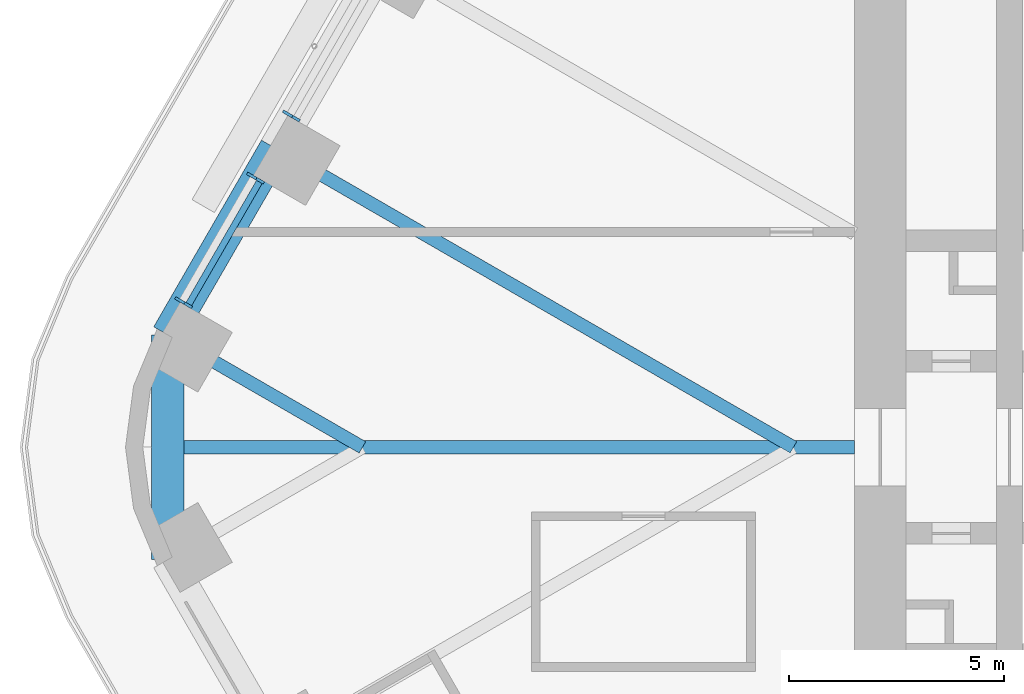
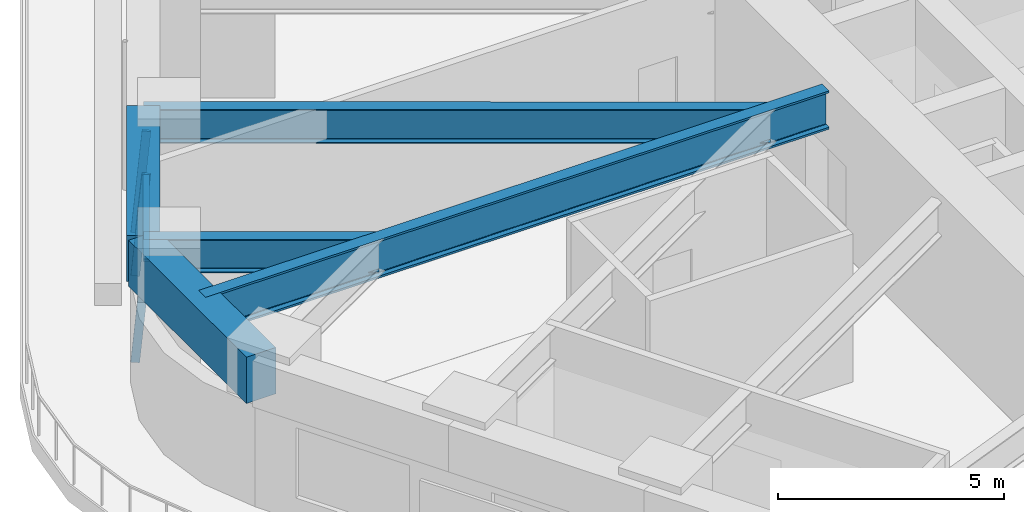
# One storey, part 6 of 24: 5 beams, 4 members, 2 elements without a shape of their own.
"""IFC4 building model written with IfcOpenShell, lengths in metres."""

from ifc_helpers import new_model, si_unit, direction, frame, origin, origin_2d, place, context, subcontext, project, spatial, rectangle, i_section, extrude, material, material_profile, profile_set, type_object, element, aggregate, save


model = new_model("IFC4")

# Units and contexts
model_context = context("Model", 3, precision=1e-05, world=origin(), true_north=direction((0.0, 1.0)))
body_context = subcontext(model_context, "Body", "Model", "MODEL_VIEW")
ifc_project = project(units=[si_unit("LENGTHUNIT", "METRE"), si_unit("AREAUNIT", "SQUARE_METRE"), si_unit("VOLUMEUNIT", "CUBIC_METRE"), si_unit("PLANEANGLEUNIT", "RADIAN"), si_unit("MASSUNIT", "GRAM", prefix="KILO")], contexts=[model_context])

# Site, building, storey
site_placement = place(None, origin())
site = spatial("IfcSite", under=ifc_project, at=site_placement, CompositionType="ELEMENT")
building_placement = place(site_placement, origin())
building = spatial("IfcBuilding", under=site, at=building_placement, Name="Tarfa Lantern Tower", CompositionType="ELEMENT")
storey_placement = place(building_placement, frame((0.0, 0.0, 161.5)))
storey = spatial("IfcBuildingStorey", under=building, at=storey_placement, Name="L36", CompositionType="ELEMENT", Elevation=161.5)

# Curtain wall, member
ifc_material_1 = material(Name="Aluminium framed curtain wall", Category="aluminium")
curtain_wall_type = type_object("IfcCurtainWallType", Name="CW2 CANTED GLAZING MID ZONE 2750", PredefinedType="USERDEFINED", material=ifc_material_1)
curtain_wall_1_placement = place(storey_placement, origin())
curtain_wall_1 = element("IfcCurtainWall", 1, at=curtain_wall_1_placement, inside=storey, type_object=curtain_wall_type, Name="CW2 NWB L36", ObjectType="CURTAIN WALL", PredefinedType="USERDEFINED")
ifc_material_2 = material(Name="Aluminium mullion", Category="aluminium")
ifc_material_profile_1 = material_profile(ifc_material_2, rectangle(XDim=0.06494140625, YDim=0.199951171875, at=origin_2d()), Name="AL MULLION 65x200")
ifc_profile_set_1 = profile_set([ifc_material_profile_1], Name="Aluminium mullion")
member_type_1 = type_object("IfcMemberType", Name="CWM1 MULLION 65x200", PredefinedType="MULLION", material=ifc_profile_set_1)
member_1_placement = place(storey_placement, frame((-31.78076171875, 7.75439453125, 0.0), z_axis=(0.078422950161, -0.045267813396, 0.995891894715), x_axis=(0.499919672301, 0.866071776036, 0.0)))
member_1 = element("IfcMember", 2, at=member_1_placement, type_object=member_type_1, Name="CW2 mullion 2", PredefinedType="MULLION", context=body_context, shape_type="SweptSolid", body=[
    extrude(rectangle(XDim=0.06494140625, YDim=0.199951171875, at=origin_2d()), origin(), (0.0, 0.0, 1.0), 2.76123046875),
])
aggregate(curtain_wall_1, [member_1])

# Curtain wall, members
curtain_wall_2_placement = place(storey_placement, origin())
curtain_wall_2 = element("IfcCurtainWall", 3, at=curtain_wall_2_placement, inside=storey, type_object=curtain_wall_type, Name="CW2 NWB L36", ObjectType="CURTAIN WALL", PredefinedType="USERDEFINED")
member_2_placement = place(storey_placement, frame((-32.613037109375, 6.312255859375, 0.0), z_axis=(0.078335079308, -0.045268127094, 0.995898796073), x_axis=(0.500342721131, 0.865827443207, 0.0)))
member_2 = element("IfcMember", 4, at=member_2_placement, type_object=member_type_1, Name="CW2 mullion 1", PredefinedType="MULLION", context=body_context, shape_type="SweptSolid", body=[
    extrude(rectangle(XDim=0.06494140625, YDim=0.199951171875, at=origin_2d()), origin(), (0.0, 0.0, 1.0), 2.76123046875),
])
member_3_placement = place(storey_placement, frame((-34.282470703125, 3.4208984375, 0.0), z_axis=(0.078422950161, -0.045267813396, 0.995891894715), x_axis=(0.499919672301, 0.866071776036, 0.0)))
member_3 = element("IfcMember", 5, at=member_3_placement, type_object=member_type_1, Name="CW2 mullion 2", PredefinedType="MULLION", context=body_context, shape_type="SweptSolid", body=[
    extrude(rectangle(XDim=0.06494140625, YDim=0.199951171875, at=origin_2d()), origin(), (0.0, 0.0, 1.0), 2.76123046875),
])
ifc_material_3 = material(Name="Aluminium transom", Category="aluminium")
ifc_material_profile_2 = material_profile(ifc_material_3, rectangle(XDim=0.14990234375, YDim=0.06494140625, at=origin_2d()), Name="AL TRANSOM 150x65")
ifc_profile_set_2 = profile_set([ifc_material_profile_2], Name="Aluminium transom")
member_type_2 = type_object("IfcMemberType", Name="CWT1 TRANSOM 150x65", PredefinedType="USERDEFINED", material=ifc_profile_set_2)
member_4_placement = place(storey_placement, frame((-32.41552734375, 6.16064453125, 2.717529296875), z_axis=(-0.499989298045, -0.866031582473, 0.0), x_axis=(0.866031582473, -0.499989298045, 0.0)))
member_4 = element("IfcMember", 6, at=member_4_placement, type_object=member_type_2, Name="CW2 transom 1.2", ObjectType="TRANSOM", PredefinedType="USERDEFINED", context=body_context, shape_type="SweptSolid", body=[
    extrude(rectangle(XDim=0.14990234375, YDim=0.06494140625, at=origin_2d()), origin(), (0.0, 0.0, 1.0), 3.2734375),
])
aggregate(curtain_wall_2, [member_2, member_3, member_4])

# Beams
ifc_material_4 = material(Name="Concrete C80/95", Category="concrete")
ifc_material_profile_3 = material_profile(ifc_material_4, rectangle(XDim=0.75, YDim=1.25, at=origin_2d()), Name="RC 750x1250")
ifc_profile_set_3 = profile_set([ifc_material_profile_3], Name="Concrete C80/95")
beam_type_1 = type_object("IfcBeamType", Name="EB2 RC 750x1250", PredefinedType="SPANDREL", material=ifc_profile_set_3)
beam_1_placement = place(storey_placement, frame((-32.041015625, 6.943359375, 3.375), z_axis=(-0.500022324899, -0.866012514114, 0.0), x_axis=(0.866012514114, -0.500022324899, 0.0)))
element("IfcBeam", 7, at=beam_1_placement, inside=storey, type_object=beam_type_1, Name="Edge beam NW5", PredefinedType="SPANDREL", context=body_context, shape_type="SweptSolid", body=[
    extrude(rectangle(XDim=0.75, YDim=1.25, at=origin_2d()), origin(), (0.0, 0.0, 1.0), 5.003662109375),
])
beam_2_placement = place(storey_placement, frame((-34.54296875, 2.610107421875, 3.375), z_axis=(0.0, -1.0, 0.0), x_axis=(1.0, 0.0, 0.0)))
element("IfcBeam", 8, at=beam_2_placement, inside=storey, type_object=beam_type_1, Name="Edge beam NW6", PredefinedType="SPANDREL", context=body_context, shape_type="SweptSolid", body=[
    extrude(rectangle(XDim=0.75, YDim=1.25, at=origin_2d()), origin(), (0.0, 0.0, 1.0), 5.22021484375),
])
ifc_material_5 = material(Name="Steel S460M", Category="steel")
ifc_material_profile_4 = material_profile(ifc_material_5, i_section(OverallWidth=0.30859375, OverallDepth=1.036376953125, WebThickness=0.030029296875, FlangeThickness=0.05419921875, FilletRadius=0.030029296875, at=origin_2d()), Name="UB1016x305x487")
ifc_profile_set_4 = profile_set([ifc_material_profile_4], Name="Steel S460M")
beam_type_2 = type_object("IfcBeamType", Name="UB1016x305x487", PredefinedType="BEAM", material=ifc_profile_set_4)
beam_3_placement = place(storey_placement, frame((-18.60009765625, 0.0, 3.48193359375), z_axis=(-1.0, 0.0, 0.0), x_axis=(0.0, -1.0, 0.0)))
element("IfcBeam", 9, at=beam_3_placement, inside=storey, type_object=beam_type_2, Name="Hip girder W", PredefinedType="BEAM", context=body_context, shape_type="SweptSolid", body=[
    extrude(i_section(OverallWidth=0.30859375, OverallDepth=1.036376953125, WebThickness=0.030029296875, FlangeThickness=0.05419921875, FilletRadius=0.030029296875, at=origin_2d()), origin(), (0.0, 0.0, 1.0), 15.94287109375),
])
ifc_material_profile_5 = material_profile(ifc_material_5, i_section(OverallWidth=0.305419921875, OverallDepth=0.91845703125, WebThickness=0.017333984375, FlangeThickness=0.02783203125, FilletRadius=0.01904296875, at=origin_2d()), Name="UB914x305x253")
ifc_profile_set_5 = profile_set([ifc_material_profile_5], Name="Steel S460M")
beam_type_3 = type_object("IfcBeamType", Name="UB914x305x253", PredefinedType="BEAM", material=ifc_profile_set_5)
beam_4_placement = place(storey_placement, frame((-32.041015625, 6.943359375, 3.540771484375), z_axis=(0.866023096411, -0.500003996466, 0.0), x_axis=(0.500003996466, 0.866023096411, 0.0)))
element("IfcBeam", 10, at=beam_4_placement, inside=storey, type_object=beam_type_3, Name="Floor beam NW5", PredefinedType="BEAM", context=body_context, shape_type="SweptSolid", body=[
    extrude(i_section(OverallWidth=0.305419921875, OverallDepth=0.91845703125, WebThickness=0.017333984375, FlangeThickness=0.02783203125, FilletRadius=0.01904296875, at=origin_2d()), origin(), (0.0, 0.0, 1.0), 13.88671875),
])
beam_5_placement = place(storey_placement, frame((-34.54296875, 2.610107421875, 3.540771484375), z_axis=(0.866021250859, -0.500007193008, 0.0), x_axis=(0.500007193008, 0.866021250859, 0.0)))
element("IfcBeam", 11, at=beam_5_placement, inside=storey, type_object=beam_type_3, Name="Floor beam NW6", PredefinedType="BEAM", context=body_context, shape_type="SweptSolid", body=[
    extrude(i_section(OverallWidth=0.305419921875, OverallDepth=0.91845703125, WebThickness=0.017333984375, FlangeThickness=0.02783203125, FilletRadius=0.01904296875, at=origin_2d()), origin(), (0.0, 0.0, 1.0), 5.22021484375),
])

save(model, "model.ifc")
